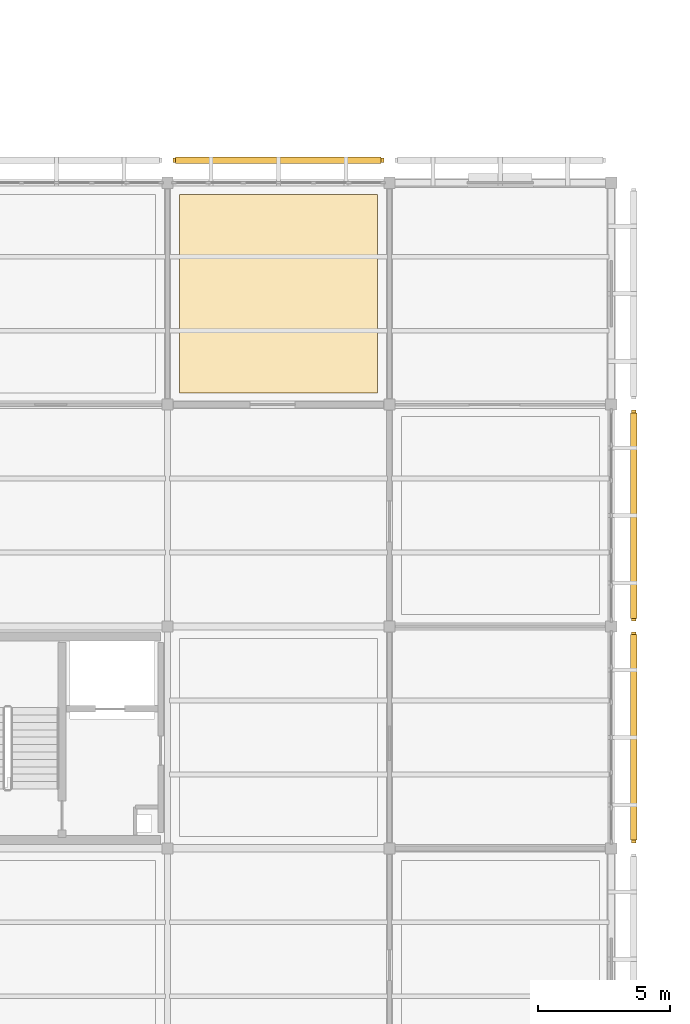
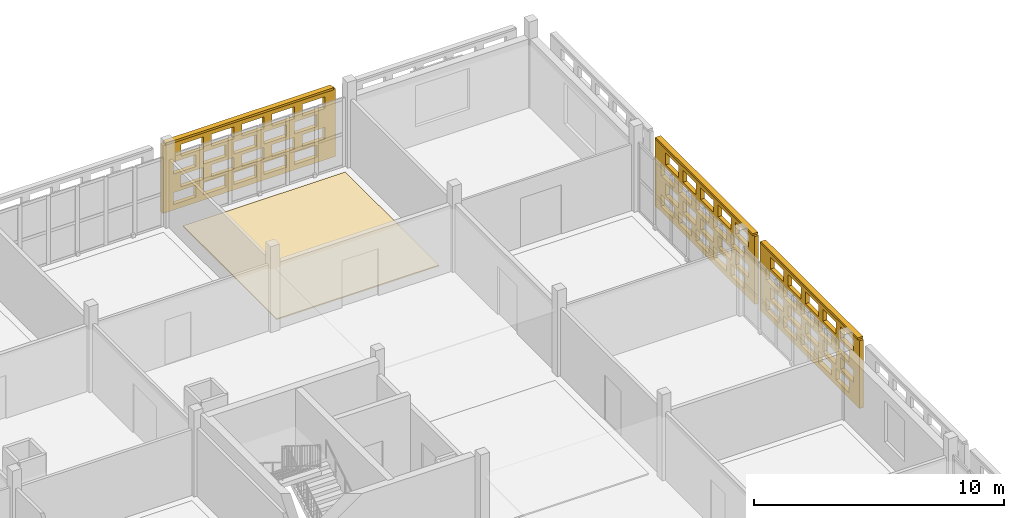
# One storey, part 165 of 166: 4 coverings, 3 shading devices, 60 openings.
"""IFC4 building model written with IfcOpenShell, lengths in metres."""

from ifc_helpers import new_model, si_unit, direction, frame, frame_2d, origin, origin_2d, place, context, subcontext, project, spatial, rectangle, extrude, material, layer, layer_set, type_object, element, save


model = new_model("IFC4")

# Units and contexts
model_context = context("Model", 3, precision=1e-05, world=origin(), true_north=direction((0.0, 1.0)))
body_context = subcontext(model_context, "Body", "Model", "MODEL_VIEW")
ifc_project = project(units=[si_unit("LENGTHUNIT", "METRE"), si_unit("AREAUNIT", "SQUARE_METRE"), si_unit("VOLUMEUNIT", "CUBIC_METRE"), si_unit("PLANEANGLEUNIT", "RADIAN"), si_unit("MASSUNIT", "GRAM", prefix="KILO")], contexts=[model_context])

# Site, building, storey
site_placement = place(None, origin())
site = spatial("IfcSite", under=ifc_project, at=site_placement, CompositionType="ELEMENT")
building_placement = place(site_placement, origin())
building = spatial("IfcBuilding", under=site, at=building_placement, Name="Varnapada Polytechnic", CompositionType="ELEMENT")
storey_placement = place(building_placement, frame((0.0, 0.0, 9.60009765625)))
storey = spatial("IfcBuildingStorey", under=building, at=storey_placement, Name="L02", CompositionType="ELEMENT", Elevation=9.60009765625)

# Covering
ifc_material_1 = material(Name="End-Grain Timber Studio Block Flooring", Category="wood")
ifc_layer_1 = layer(ifc_material_1, 0.054931640625)
ifc_layer_set_1 = layer_set([ifc_layer_1], Name="End-Grain Timber Studio Block Flooring")
covering_type_1 = type_object("IfcCoveringType", Name="Floor Finish FLR-04", PredefinedType="FLOORING", material=ifc_layer_set_1)
covering_1_placement = place(storey_placement, frame((163.800048828125, 113.39990234375, 0.0), z_axis=(0.0, 0.0, 1.0), x_axis=(1.0, 0.0, 0.0)))
element("IfcCovering", 1, at=covering_1_placement, inside=storey, type_object=covering_type_1, Name="L02 floor finish panel (20,14)", PredefinedType="FLOORING", context=body_context, shape_type="SweptSolid", body=[
    extrude(rectangle(XDim=7.5, YDim=7.5, at=origin_2d()), origin(), (0.0, 0.0, 1.0), 0.054931640625),
])

# Covering, openings
ifc_material_2 = material(Name="Earth-toned architectural terracotta screen block", Category="masonry")
ifc_layer_2 = layer(ifc_material_2, 0.1201171875)
ifc_layer_set_2 = layer_set([ifc_layer_2], Name="Earth-toned architectural terracotta screen block")
covering_type_2 = type_object("IfcCoveringType", Name="Terracotta Screen Cladding CLD-01", PredefinedType="CLADDING", material=ifc_layer_set_2)
covering_2_placement = place(storey_placement, frame((159.81005859375, 118.449951171875, 0.0), z_axis=(0.0, 0.0, 1.0), x_axis=(1.0, 0.0, 0.0)))
covering_2 = element("IfcCovering", 2, at=covering_2_placement, inside=storey, type_object=covering_type_2, Name="L02 perforated terracotta block screen (107)", PredefinedType="CLADDING", context=body_context, shape_type="SweptSolid", body=[
    extrude(rectangle(XDim=7.97998046875, YDim=0.179931640625, at=frame_2d((3.989990234375, 0.0))), origin(), (0.0, 0.0, 1.0), 3.31982421875),
])
opening_1_placement = place(covering_2_placement, frame((0.489990234375, 0.0, 0.265625)))
element("IfcOpeningElement", 3, at=opening_1_placement, cuts=covering_2, Name="Screen perforation TBS-L02-106.1", PredefinedType="OPENING", context=body_context, shape_type="SweptSolid", body=[
    extrude(rectangle(XDim=1.0400390625, YDim=0.5810546875, at=frame_2d((0.52001953125, 0.29052734375))), frame((0.0, 0.099853515625, 0.0), z_axis=(0.0, -1.0, 0.0), x_axis=(1.0, 0.0, 0.0)), (0.0, 0.0, 1.0), 0.199951171875),
])
opening_2_placement = place(covering_2_placement, frame((1.889892578125, 0.0, 0.265625)))
element("IfcOpeningElement", 4, at=opening_2_placement, cuts=covering_2, Name="Screen perforation TBS-L02-106.2", PredefinedType="OPENING", context=body_context, shape_type="SweptSolid", body=[
    extrude(rectangle(XDim=1.0400390625, YDim=0.5810546875, at=frame_2d((0.52001953125, 0.29052734375))), frame((0.0, 0.099853515625, 0.0), z_axis=(0.0, -1.0, 0.0), x_axis=(1.0, 0.0, 0.0)), (0.0, 0.0, 1.0), 0.199951171875),
])
opening_3_placement = place(covering_2_placement, frame((3.2900390625, 0.0, 0.265625)))
element("IfcOpeningElement", 5, at=opening_3_placement, cuts=covering_2, Name="Screen perforation TBS-L02-106.3", PredefinedType="OPENING", context=body_context, shape_type="SweptSolid", body=[
    extrude(rectangle(XDim=1.0400390625, YDim=0.5810546875, at=frame_2d((0.52001953125, 0.29052734375))), frame((0.0, 0.099853515625, 0.0), z_axis=(0.0, -1.0, 0.0), x_axis=(1.0, 0.0, 0.0)), (0.0, 0.0, 1.0), 0.199951171875),
])
opening_4_placement = place(covering_2_placement, frame((4.68994140625, 0.0, 0.265625)))
element("IfcOpeningElement", 6, at=opening_4_placement, cuts=covering_2, Name="Screen perforation TBS-L02-106.4", PredefinedType="OPENING", context=body_context, shape_type="SweptSolid", body=[
    extrude(rectangle(XDim=1.0400390625, YDim=0.5810546875, at=frame_2d((0.52001953125, 0.29052734375))), frame((0.0, 0.099853515625, 0.0), z_axis=(0.0, -1.0, 0.0), x_axis=(1.0, 0.0, 0.0)), (0.0, 0.0, 1.0), 0.199951171875),
])
opening_5_placement = place(covering_2_placement, frame((6.090087890625, 0.0, 0.265625)))
element("IfcOpeningElement", 7, at=opening_5_placement, cuts=covering_2, Name="Screen perforation TBS-L02-106.5", PredefinedType="OPENING", context=body_context, shape_type="SweptSolid", body=[
    extrude(rectangle(XDim=1.0400390625, YDim=0.5810546875, at=frame_2d((0.52001953125, 0.29052734375))), frame((0.0, 0.099853515625, 0.0), z_axis=(0.0, -1.0, 0.0), x_axis=(1.0, 0.0, 0.0)), (0.0, 0.0, 1.0), 0.199951171875),
])
opening_6_placement = place(covering_2_placement, frame((0.85009765625, 0.0, 1.0126953125)))
element("IfcOpeningElement", 8, at=opening_6_placement, cuts=covering_2, Name="Screen perforation TBS-L02-106.6", PredefinedType="OPENING", context=body_context, shape_type="SweptSolid", body=[
    extrude(rectangle(XDim=1.0400390625, YDim=0.5810546875, at=frame_2d((0.52001953125, 0.29052734375))), frame((0.0, 0.099853515625, 0.0), z_axis=(0.0, -1.0, 0.0), x_axis=(1.0, 0.0, 0.0)), (0.0, 0.0, 1.0), 0.199951171875),
])
opening_7_placement = place(covering_2_placement, frame((2.25, 0.0, 1.0126953125)))
element("IfcOpeningElement", 9, at=opening_7_placement, cuts=covering_2, Name="Screen perforation TBS-L02-106.7", PredefinedType="OPENING", context=body_context, shape_type="SweptSolid", body=[
    extrude(rectangle(XDim=1.0400390625, YDim=0.5810546875, at=frame_2d((0.52001953125, 0.29052734375))), frame((0.0, 0.099853515625, 0.0), z_axis=(0.0, -1.0, 0.0), x_axis=(1.0, 0.0, 0.0)), (0.0, 0.0, 1.0), 0.199951171875),
])
opening_8_placement = place(covering_2_placement, frame((3.64990234375, 0.0, 1.0126953125)))
element("IfcOpeningElement", 10, at=opening_8_placement, cuts=covering_2, Name="Screen perforation TBS-L02-106.8", PredefinedType="OPENING", context=body_context, shape_type="SweptSolid", body=[
    extrude(rectangle(XDim=1.0400390625, YDim=0.5810546875, at=frame_2d((0.52001953125, 0.29052734375))), frame((0.0, 0.099853515625, 0.0), z_axis=(0.0, -1.0, 0.0), x_axis=(1.0, 0.0, 0.0)), (0.0, 0.0, 1.0), 0.199951171875),
])
opening_9_placement = place(covering_2_placement, frame((5.050048828125, 0.0, 1.0126953125)))
element("IfcOpeningElement", 11, at=opening_9_placement, cuts=covering_2, Name="Screen perforation TBS-L02-106.9", PredefinedType="OPENING", context=body_context, shape_type="SweptSolid", body=[
    extrude(rectangle(XDim=1.0400390625, YDim=0.5810546875, at=frame_2d((0.52001953125, 0.29052734375))), frame((0.0, 0.099853515625, 0.0), z_axis=(0.0, -1.0, 0.0), x_axis=(1.0, 0.0, 0.0)), (0.0, 0.0, 1.0), 0.199951171875),
])
opening_10_placement = place(covering_2_placement, frame((6.449951171875, 0.0, 1.0126953125)))
element("IfcOpeningElement", 12, at=opening_10_placement, cuts=covering_2, Name="Screen perforation TBS-L02-106.10", PredefinedType="OPENING", context=body_context, shape_type="SweptSolid", body=[
    extrude(rectangle(XDim=1.0400390625, YDim=0.5810546875, at=frame_2d((0.52001953125, 0.29052734375))), frame((0.0, 0.099853515625, 0.0), z_axis=(0.0, -1.0, 0.0), x_axis=(1.0, 0.0, 0.0)), (0.0, 0.0, 1.0), 0.199951171875),
])
opening_11_placement = place(covering_2_placement, frame((0.489990234375, 0.0, 1.759521484375)))
element("IfcOpeningElement", 13, at=opening_11_placement, cuts=covering_2, Name="Screen perforation TBS-L02-106.11", PredefinedType="OPENING", context=body_context, shape_type="SweptSolid", body=[
    extrude(rectangle(XDim=1.0400390625, YDim=0.5810546875, at=frame_2d((0.52001953125, 0.29052734375))), frame((0.0, 0.099853515625, 0.0), z_axis=(0.0, -1.0, 0.0), x_axis=(1.0, 0.0, 0.0)), (0.0, 0.0, 1.0), 0.199951171875),
])
opening_12_placement = place(covering_2_placement, frame((1.889892578125, 0.0, 1.759521484375)))
element("IfcOpeningElement", 14, at=opening_12_placement, cuts=covering_2, Name="Screen perforation TBS-L02-106.12", PredefinedType="OPENING", context=body_context, shape_type="SweptSolid", body=[
    extrude(rectangle(XDim=1.0400390625, YDim=0.5810546875, at=frame_2d((0.52001953125, 0.29052734375))), frame((0.0, 0.099853515625, 0.0), z_axis=(0.0, -1.0, 0.0), x_axis=(1.0, 0.0, 0.0)), (0.0, 0.0, 1.0), 0.199951171875),
])
opening_13_placement = place(covering_2_placement, frame((3.2900390625, 0.0, 1.759521484375)))
element("IfcOpeningElement", 15, at=opening_13_placement, cuts=covering_2, Name="Screen perforation TBS-L02-106.13", PredefinedType="OPENING", context=body_context, shape_type="SweptSolid", body=[
    extrude(rectangle(XDim=1.0400390625, YDim=0.5810546875, at=frame_2d((0.52001953125, 0.29052734375))), frame((0.0, 0.099853515625, 0.0), z_axis=(0.0, -1.0, 0.0), x_axis=(1.0, 0.0, 0.0)), (0.0, 0.0, 1.0), 0.199951171875),
])
opening_14_placement = place(covering_2_placement, frame((4.68994140625, 0.0, 1.759521484375)))
element("IfcOpeningElement", 16, at=opening_14_placement, cuts=covering_2, Name="Screen perforation TBS-L02-106.14", PredefinedType="OPENING", context=body_context, shape_type="SweptSolid", body=[
    extrude(rectangle(XDim=1.0400390625, YDim=0.5810546875, at=frame_2d((0.52001953125, 0.29052734375))), frame((0.0, 0.099853515625, 0.0), z_axis=(0.0, -1.0, 0.0), x_axis=(1.0, 0.0, 0.0)), (0.0, 0.0, 1.0), 0.199951171875),
])
opening_15_placement = place(covering_2_placement, frame((6.090087890625, 0.0, 1.759521484375)))
element("IfcOpeningElement", 17, at=opening_15_placement, cuts=covering_2, Name="Screen perforation TBS-L02-106.15", PredefinedType="OPENING", context=body_context, shape_type="SweptSolid", body=[
    extrude(rectangle(XDim=1.0400390625, YDim=0.5810546875, at=frame_2d((0.52001953125, 0.29052734375))), frame((0.0, 0.099853515625, 0.0), z_axis=(0.0, -1.0, 0.0), x_axis=(1.0, 0.0, 0.0)), (0.0, 0.0, 1.0), 0.199951171875),
])
opening_16_placement = place(covering_2_placement, frame((0.85009765625, 0.0, 2.506591796875)))
element("IfcOpeningElement", 18, at=opening_16_placement, cuts=covering_2, Name="Screen perforation TBS-L02-106.16", PredefinedType="OPENING", context=body_context, shape_type="SweptSolid", body=[
    extrude(rectangle(XDim=1.0400390625, YDim=0.5810546875, at=frame_2d((0.52001953125, 0.29052734375))), frame((0.0, 0.099853515625, 0.0), z_axis=(0.0, -1.0, 0.0), x_axis=(1.0, 0.0, 0.0)), (0.0, 0.0, 1.0), 0.199951171875),
])
opening_17_placement = place(covering_2_placement, frame((2.25, 0.0, 2.506591796875)))
element("IfcOpeningElement", 19, at=opening_17_placement, cuts=covering_2, Name="Screen perforation TBS-L02-106.17", PredefinedType="OPENING", context=body_context, shape_type="SweptSolid", body=[
    extrude(rectangle(XDim=1.0400390625, YDim=0.5810546875, at=frame_2d((0.52001953125, 0.29052734375))), frame((0.0, 0.099853515625, 0.0), z_axis=(0.0, -1.0, 0.0), x_axis=(1.0, 0.0, 0.0)), (0.0, 0.0, 1.0), 0.199951171875),
])
opening_18_placement = place(covering_2_placement, frame((3.64990234375, 0.0, 2.506591796875)))
element("IfcOpeningElement", 20, at=opening_18_placement, cuts=covering_2, Name="Screen perforation TBS-L02-106.18", PredefinedType="OPENING", context=body_context, shape_type="SweptSolid", body=[
    extrude(rectangle(XDim=1.0400390625, YDim=0.5810546875, at=frame_2d((0.52001953125, 0.29052734375))), frame((0.0, 0.099853515625, 0.0), z_axis=(0.0, -1.0, 0.0), x_axis=(1.0, 0.0, 0.0)), (0.0, 0.0, 1.0), 0.199951171875),
])
opening_19_placement = place(covering_2_placement, frame((5.050048828125, 0.0, 2.506591796875)))
element("IfcOpeningElement", 21, at=opening_19_placement, cuts=covering_2, Name="Screen perforation TBS-L02-106.19", PredefinedType="OPENING", context=body_context, shape_type="SweptSolid", body=[
    extrude(rectangle(XDim=1.0400390625, YDim=0.5810546875, at=frame_2d((0.52001953125, 0.29052734375))), frame((0.0, 0.099853515625, 0.0), z_axis=(0.0, -1.0, 0.0), x_axis=(1.0, 0.0, 0.0)), (0.0, 0.0, 1.0), 0.199951171875),
])
opening_20_placement = place(covering_2_placement, frame((6.449951171875, 0.0, 2.506591796875)))
element("IfcOpeningElement", 22, at=opening_20_placement, cuts=covering_2, Name="Screen perforation TBS-L02-106.20", PredefinedType="OPENING", context=body_context, shape_type="SweptSolid", body=[
    extrude(rectangle(XDim=1.0400390625, YDim=0.5810546875, at=frame_2d((0.52001953125, 0.29052734375))), frame((0.0, 0.099853515625, 0.0), z_axis=(0.0, -1.0, 0.0), x_axis=(1.0, 0.0, 0.0)), (0.0, 0.0, 1.0), 0.199951171875),
])

covering_3_placement = place(storey_placement, frame((177.25, 100.590087890625, 0.0), z_axis=(0.0, 0.0, 1.0), x_axis=(0.0, -1.0, 0.0)))
covering_3 = element("IfcCovering", 23, at=covering_3_placement, inside=storey, type_object=covering_type_2, Name="L02 perforated terracotta block screen (113)", PredefinedType="CLADDING", context=body_context, shape_type="SweptSolid", body=[
    extrude(rectangle(XDim=7.97998046875, YDim=0.179931640625, at=frame_2d((3.989990234375, 0.0))), origin(), (0.0, 0.0, 1.0), 3.31982421875),
])
opening_21_placement = place(covering_3_placement, frame((0.489990234375, 0.0, 0.265625)))
element("IfcOpeningElement", 24, at=opening_21_placement, cuts=covering_3, Name="Screen perforation TBS-L02-112.1", PredefinedType="OPENING", context=body_context, shape_type="SweptSolid", body=[
    extrude(rectangle(XDim=1.0400390625, YDim=0.5810546875, at=frame_2d((0.52001953125, 0.29052734375))), frame((0.0, 0.099853515625, 0.0), z_axis=(0.0, -1.0, 0.0), x_axis=(1.0, 0.0, 0.0)), (0.0, 0.0, 1.0), 0.199951171875),
])
opening_22_placement = place(covering_3_placement, frame((1.889892578125, 0.0, 0.265625)))
element("IfcOpeningElement", 25, at=opening_22_placement, cuts=covering_3, Name="Screen perforation TBS-L02-112.2", PredefinedType="OPENING", context=body_context, shape_type="SweptSolid", body=[
    extrude(rectangle(XDim=1.0400390625, YDim=0.5810546875, at=frame_2d((0.52001953125, 0.29052734375))), frame((0.0, 0.099853515625, 0.0), z_axis=(0.0, -1.0, 0.0), x_axis=(1.0, 0.0, 0.0)), (0.0, 0.0, 1.0), 0.199951171875),
])
opening_23_placement = place(covering_3_placement, frame((3.2900390625, 0.0, 0.265625)))
element("IfcOpeningElement", 26, at=opening_23_placement, cuts=covering_3, Name="Screen perforation TBS-L02-112.3", PredefinedType="OPENING", context=body_context, shape_type="SweptSolid", body=[
    extrude(rectangle(XDim=1.0400390625, YDim=0.5810546875, at=frame_2d((0.52001953125, 0.29052734375))), frame((0.0, 0.099853515625, 0.0), z_axis=(0.0, -1.0, 0.0), x_axis=(1.0, 0.0, 0.0)), (0.0, 0.0, 1.0), 0.199951171875),
])
opening_24_placement = place(covering_3_placement, frame((4.68994140625, 0.0, 0.265625)))
element("IfcOpeningElement", 27, at=opening_24_placement, cuts=covering_3, Name="Screen perforation TBS-L02-112.4", PredefinedType="OPENING", context=body_context, shape_type="SweptSolid", body=[
    extrude(rectangle(XDim=1.0400390625, YDim=0.5810546875, at=frame_2d((0.52001953125, 0.29052734375))), frame((0.0, 0.099853515625, 0.0), z_axis=(0.0, -1.0, 0.0), x_axis=(1.0, 0.0, 0.0)), (0.0, 0.0, 1.0), 0.199951171875),
])
opening_25_placement = place(covering_3_placement, frame((6.090087890625, 0.0, 0.265625)))
element("IfcOpeningElement", 28, at=opening_25_placement, cuts=covering_3, Name="Screen perforation TBS-L02-112.5", PredefinedType="OPENING", context=body_context, shape_type="SweptSolid", body=[
    extrude(rectangle(XDim=1.0400390625, YDim=0.5810546875, at=frame_2d((0.52001953125, 0.29052734375))), frame((0.0, 0.099853515625, 0.0), z_axis=(0.0, -1.0, 0.0), x_axis=(1.0, 0.0, 0.0)), (0.0, 0.0, 1.0), 0.199951171875),
])
opening_26_placement = place(covering_3_placement, frame((0.85009765625, 0.0, 1.0126953125)))
element("IfcOpeningElement", 29, at=opening_26_placement, cuts=covering_3, Name="Screen perforation TBS-L02-112.6", PredefinedType="OPENING", context=body_context, shape_type="SweptSolid", body=[
    extrude(rectangle(XDim=1.0400390625, YDim=0.5810546875, at=frame_2d((0.52001953125, 0.29052734375))), frame((0.0, 0.099853515625, 0.0), z_axis=(0.0, -1.0, 0.0), x_axis=(1.0, 0.0, 0.0)), (0.0, 0.0, 1.0), 0.199951171875),
])
opening_27_placement = place(covering_3_placement, frame((2.25, 0.0, 1.0126953125)))
element("IfcOpeningElement", 30, at=opening_27_placement, cuts=covering_3, Name="Screen perforation TBS-L02-112.7", PredefinedType="OPENING", context=body_context, shape_type="SweptSolid", body=[
    extrude(rectangle(XDim=1.0400390625, YDim=0.5810546875, at=frame_2d((0.52001953125, 0.29052734375))), frame((0.0, 0.099853515625, 0.0), z_axis=(0.0, -1.0, 0.0), x_axis=(1.0, 0.0, 0.0)), (0.0, 0.0, 1.0), 0.199951171875),
])
opening_28_placement = place(covering_3_placement, frame((3.64990234375, 0.0, 1.0126953125)))
element("IfcOpeningElement", 31, at=opening_28_placement, cuts=covering_3, Name="Screen perforation TBS-L02-112.8", PredefinedType="OPENING", context=body_context, shape_type="SweptSolid", body=[
    extrude(rectangle(XDim=1.0400390625, YDim=0.5810546875, at=frame_2d((0.52001953125, 0.29052734375))), frame((0.0, 0.099853515625, 0.0), z_axis=(0.0, -1.0, 0.0), x_axis=(1.0, 0.0, 0.0)), (0.0, 0.0, 1.0), 0.199951171875),
])
opening_29_placement = place(covering_3_placement, frame((5.050048828125, 0.0, 1.0126953125)))
element("IfcOpeningElement", 32, at=opening_29_placement, cuts=covering_3, Name="Screen perforation TBS-L02-112.9", PredefinedType="OPENING", context=body_context, shape_type="SweptSolid", body=[
    extrude(rectangle(XDim=1.0400390625, YDim=0.5810546875, at=frame_2d((0.52001953125, 0.29052734375))), frame((0.0, 0.099853515625, 0.0), z_axis=(0.0, -1.0, 0.0), x_axis=(1.0, 0.0, 0.0)), (0.0, 0.0, 1.0), 0.199951171875),
])
opening_30_placement = place(covering_3_placement, frame((6.449951171875, 0.0, 1.0126953125)))
element("IfcOpeningElement", 33, at=opening_30_placement, cuts=covering_3, Name="Screen perforation TBS-L02-112.10", PredefinedType="OPENING", context=body_context, shape_type="SweptSolid", body=[
    extrude(rectangle(XDim=1.0400390625, YDim=0.5810546875, at=frame_2d((0.52001953125, 0.29052734375))), frame((0.0, 0.099853515625, 0.0), z_axis=(0.0, -1.0, 0.0), x_axis=(1.0, 0.0, 0.0)), (0.0, 0.0, 1.0), 0.199951171875),
])
opening_31_placement = place(covering_3_placement, frame((0.489990234375, 0.0, 1.759521484375)))
element("IfcOpeningElement", 34, at=opening_31_placement, cuts=covering_3, Name="Screen perforation TBS-L02-112.11", PredefinedType="OPENING", context=body_context, shape_type="SweptSolid", body=[
    extrude(rectangle(XDim=1.0400390625, YDim=0.5810546875, at=frame_2d((0.52001953125, 0.29052734375))), frame((0.0, 0.099853515625, 0.0), z_axis=(0.0, -1.0, 0.0), x_axis=(1.0, 0.0, 0.0)), (0.0, 0.0, 1.0), 0.199951171875),
])
opening_32_placement = place(covering_3_placement, frame((1.889892578125, 0.0, 1.759521484375)))
element("IfcOpeningElement", 35, at=opening_32_placement, cuts=covering_3, Name="Screen perforation TBS-L02-112.12", PredefinedType="OPENING", context=body_context, shape_type="SweptSolid", body=[
    extrude(rectangle(XDim=1.0400390625, YDim=0.5810546875, at=frame_2d((0.52001953125, 0.29052734375))), frame((0.0, 0.099853515625, 0.0), z_axis=(0.0, -1.0, 0.0), x_axis=(1.0, 0.0, 0.0)), (0.0, 0.0, 1.0), 0.199951171875),
])
opening_33_placement = place(covering_3_placement, frame((3.2900390625, 0.0, 1.759521484375)))
element("IfcOpeningElement", 36, at=opening_33_placement, cuts=covering_3, Name="Screen perforation TBS-L02-112.13", PredefinedType="OPENING", context=body_context, shape_type="SweptSolid", body=[
    extrude(rectangle(XDim=1.0400390625, YDim=0.5810546875, at=frame_2d((0.52001953125, 0.29052734375))), frame((0.0, 0.099853515625, 0.0), z_axis=(0.0, -1.0, 0.0), x_axis=(1.0, 0.0, 0.0)), (0.0, 0.0, 1.0), 0.199951171875),
])
opening_34_placement = place(covering_3_placement, frame((4.68994140625, 0.0, 1.759521484375)))
element("IfcOpeningElement", 37, at=opening_34_placement, cuts=covering_3, Name="Screen perforation TBS-L02-112.14", PredefinedType="OPENING", context=body_context, shape_type="SweptSolid", body=[
    extrude(rectangle(XDim=1.0400390625, YDim=0.5810546875, at=frame_2d((0.52001953125, 0.29052734375))), frame((0.0, 0.099853515625, 0.0), z_axis=(0.0, -1.0, 0.0), x_axis=(1.0, 0.0, 0.0)), (0.0, 0.0, 1.0), 0.199951171875),
])
opening_35_placement = place(covering_3_placement, frame((6.090087890625, 0.0, 1.759521484375)))
element("IfcOpeningElement", 38, at=opening_35_placement, cuts=covering_3, Name="Screen perforation TBS-L02-112.15", PredefinedType="OPENING", context=body_context, shape_type="SweptSolid", body=[
    extrude(rectangle(XDim=1.0400390625, YDim=0.5810546875, at=frame_2d((0.52001953125, 0.29052734375))), frame((0.0, 0.099853515625, 0.0), z_axis=(0.0, -1.0, 0.0), x_axis=(1.0, 0.0, 0.0)), (0.0, 0.0, 1.0), 0.199951171875),
])
opening_36_placement = place(covering_3_placement, frame((0.85009765625, 0.0, 2.506591796875)))
element("IfcOpeningElement", 39, at=opening_36_placement, cuts=covering_3, Name="Screen perforation TBS-L02-112.16", PredefinedType="OPENING", context=body_context, shape_type="SweptSolid", body=[
    extrude(rectangle(XDim=1.0400390625, YDim=0.5810546875, at=frame_2d((0.52001953125, 0.29052734375))), frame((0.0, 0.099853515625, 0.0), z_axis=(0.0, -1.0, 0.0), x_axis=(1.0, 0.0, 0.0)), (0.0, 0.0, 1.0), 0.199951171875),
])
opening_37_placement = place(covering_3_placement, frame((2.25, 0.0, 2.506591796875)))
element("IfcOpeningElement", 40, at=opening_37_placement, cuts=covering_3, Name="Screen perforation TBS-L02-112.17", PredefinedType="OPENING", context=body_context, shape_type="SweptSolid", body=[
    extrude(rectangle(XDim=1.0400390625, YDim=0.5810546875, at=frame_2d((0.52001953125, 0.29052734375))), frame((0.0, 0.099853515625, 0.0), z_axis=(0.0, -1.0, 0.0), x_axis=(1.0, 0.0, 0.0)), (0.0, 0.0, 1.0), 0.199951171875),
])
opening_38_placement = place(covering_3_placement, frame((3.64990234375, 0.0, 2.506591796875)))
element("IfcOpeningElement", 41, at=opening_38_placement, cuts=covering_3, Name="Screen perforation TBS-L02-112.18", PredefinedType="OPENING", context=body_context, shape_type="SweptSolid", body=[
    extrude(rectangle(XDim=1.0400390625, YDim=0.5810546875, at=frame_2d((0.52001953125, 0.29052734375))), frame((0.0, 0.099853515625, 0.0), z_axis=(0.0, -1.0, 0.0), x_axis=(1.0, 0.0, 0.0)), (0.0, 0.0, 1.0), 0.199951171875),
])
opening_39_placement = place(covering_3_placement, frame((5.050048828125, 0.0, 2.506591796875)))
element("IfcOpeningElement", 42, at=opening_39_placement, cuts=covering_3, Name="Screen perforation TBS-L02-112.19", PredefinedType="OPENING", context=body_context, shape_type="SweptSolid", body=[
    extrude(rectangle(XDim=1.0400390625, YDim=0.5810546875, at=frame_2d((0.52001953125, 0.29052734375))), frame((0.0, 0.099853515625, 0.0), z_axis=(0.0, -1.0, 0.0), x_axis=(1.0, 0.0, 0.0)), (0.0, 0.0, 1.0), 0.199951171875),
])
opening_40_placement = place(covering_3_placement, frame((6.449951171875, 0.0, 2.506591796875)))
element("IfcOpeningElement", 43, at=opening_40_placement, cuts=covering_3, Name="Screen perforation TBS-L02-112.20", PredefinedType="OPENING", context=body_context, shape_type="SweptSolid", body=[
    extrude(rectangle(XDim=1.0400390625, YDim=0.5810546875, at=frame_2d((0.52001953125, 0.29052734375))), frame((0.0, 0.099853515625, 0.0), z_axis=(0.0, -1.0, 0.0), x_axis=(1.0, 0.0, 0.0)), (0.0, 0.0, 1.0), 0.199951171875),
])

covering_4_placement = place(storey_placement, frame((177.25, 108.989990234375, 0.0), z_axis=(0.0, 0.0, 1.0), x_axis=(0.0, -1.0, 0.0)))
covering_4 = element("IfcCovering", 44, at=covering_4_placement, inside=storey, type_object=covering_type_2, Name="L02 perforated terracotta block screen (114)", PredefinedType="CLADDING", context=body_context, shape_type="SweptSolid", body=[
    extrude(rectangle(XDim=7.97998046875, YDim=0.179931640625, at=frame_2d((3.989990234375, 0.0))), origin(), (0.0, 0.0, 1.0), 3.31982421875),
])
opening_41_placement = place(covering_4_placement, frame((0.489990234375, 0.0, 0.265625)))
element("IfcOpeningElement", 45, at=opening_41_placement, cuts=covering_4, Name="Screen perforation TBS-L02-113.1", PredefinedType="OPENING", context=body_context, shape_type="SweptSolid", body=[
    extrude(rectangle(XDim=1.0400390625, YDim=0.5810546875, at=frame_2d((0.52001953125, 0.29052734375))), frame((0.0, 0.099853515625, 0.0), z_axis=(0.0, -1.0, 0.0), x_axis=(1.0, 0.0, 0.0)), (0.0, 0.0, 1.0), 0.199951171875),
])
opening_42_placement = place(covering_4_placement, frame((1.889892578125, 0.0, 0.265625)))
element("IfcOpeningElement", 46, at=opening_42_placement, cuts=covering_4, Name="Screen perforation TBS-L02-113.2", PredefinedType="OPENING", context=body_context, shape_type="SweptSolid", body=[
    extrude(rectangle(XDim=1.0400390625, YDim=0.5810546875, at=frame_2d((0.52001953125, 0.29052734375))), frame((0.0, 0.099853515625, 0.0), z_axis=(0.0, -1.0, 0.0), x_axis=(1.0, 0.0, 0.0)), (0.0, 0.0, 1.0), 0.199951171875),
])
opening_43_placement = place(covering_4_placement, frame((3.2900390625, 0.0, 0.265625)))
element("IfcOpeningElement", 47, at=opening_43_placement, cuts=covering_4, Name="Screen perforation TBS-L02-113.3", PredefinedType="OPENING", context=body_context, shape_type="SweptSolid", body=[
    extrude(rectangle(XDim=1.0400390625, YDim=0.5810546875, at=frame_2d((0.52001953125, 0.29052734375))), frame((0.0, 0.099853515625, 0.0), z_axis=(0.0, -1.0, 0.0), x_axis=(1.0, 0.0, 0.0)), (0.0, 0.0, 1.0), 0.199951171875),
])
opening_44_placement = place(covering_4_placement, frame((4.68994140625, 0.0, 0.265625)))
element("IfcOpeningElement", 48, at=opening_44_placement, cuts=covering_4, Name="Screen perforation TBS-L02-113.4", PredefinedType="OPENING", context=body_context, shape_type="SweptSolid", body=[
    extrude(rectangle(XDim=1.0400390625, YDim=0.5810546875, at=frame_2d((0.52001953125, 0.29052734375))), frame((0.0, 0.099853515625, 0.0), z_axis=(0.0, -1.0, 0.0), x_axis=(1.0, 0.0, 0.0)), (0.0, 0.0, 1.0), 0.199951171875),
])
opening_45_placement = place(covering_4_placement, frame((6.090087890625, 0.0, 0.265625)))
element("IfcOpeningElement", 49, at=opening_45_placement, cuts=covering_4, Name="Screen perforation TBS-L02-113.5", PredefinedType="OPENING", context=body_context, shape_type="SweptSolid", body=[
    extrude(rectangle(XDim=1.0400390625, YDim=0.5810546875, at=frame_2d((0.52001953125, 0.29052734375))), frame((0.0, 0.099853515625, 0.0), z_axis=(0.0, -1.0, 0.0), x_axis=(1.0, 0.0, 0.0)), (0.0, 0.0, 1.0), 0.199951171875),
])
opening_46_placement = place(covering_4_placement, frame((0.85009765625, 0.0, 1.0126953125)))
element("IfcOpeningElement", 50, at=opening_46_placement, cuts=covering_4, Name="Screen perforation TBS-L02-113.6", PredefinedType="OPENING", context=body_context, shape_type="SweptSolid", body=[
    extrude(rectangle(XDim=1.0400390625, YDim=0.5810546875, at=frame_2d((0.52001953125, 0.29052734375))), frame((0.0, 0.099853515625, 0.0), z_axis=(0.0, -1.0, 0.0), x_axis=(1.0, 0.0, 0.0)), (0.0, 0.0, 1.0), 0.199951171875),
])
opening_47_placement = place(covering_4_placement, frame((2.25, 0.0, 1.0126953125)))
element("IfcOpeningElement", 51, at=opening_47_placement, cuts=covering_4, Name="Screen perforation TBS-L02-113.7", PredefinedType="OPENING", context=body_context, shape_type="SweptSolid", body=[
    extrude(rectangle(XDim=1.0400390625, YDim=0.5810546875, at=frame_2d((0.52001953125, 0.29052734375))), frame((0.0, 0.099853515625, 0.0), z_axis=(0.0, -1.0, 0.0), x_axis=(1.0, 0.0, 0.0)), (0.0, 0.0, 1.0), 0.199951171875),
])
opening_48_placement = place(covering_4_placement, frame((3.64990234375, 0.0, 1.0126953125)))
element("IfcOpeningElement", 52, at=opening_48_placement, cuts=covering_4, Name="Screen perforation TBS-L02-113.8", PredefinedType="OPENING", context=body_context, shape_type="SweptSolid", body=[
    extrude(rectangle(XDim=1.0400390625, YDim=0.5810546875, at=frame_2d((0.52001953125, 0.29052734375))), frame((0.0, 0.099853515625, 0.0), z_axis=(0.0, -1.0, 0.0), x_axis=(1.0, 0.0, 0.0)), (0.0, 0.0, 1.0), 0.199951171875),
])
opening_49_placement = place(covering_4_placement, frame((5.050048828125, 0.0, 1.0126953125)))
element("IfcOpeningElement", 53, at=opening_49_placement, cuts=covering_4, Name="Screen perforation TBS-L02-113.9", PredefinedType="OPENING", context=body_context, shape_type="SweptSolid", body=[
    extrude(rectangle(XDim=1.0400390625, YDim=0.5810546875, at=frame_2d((0.52001953125, 0.29052734375))), frame((0.0, 0.099853515625, 0.0), z_axis=(0.0, -1.0, 0.0), x_axis=(1.0, 0.0, 0.0)), (0.0, 0.0, 1.0), 0.199951171875),
])
opening_50_placement = place(covering_4_placement, frame((6.449951171875, 0.0, 1.0126953125)))
element("IfcOpeningElement", 54, at=opening_50_placement, cuts=covering_4, Name="Screen perforation TBS-L02-113.10", PredefinedType="OPENING", context=body_context, shape_type="SweptSolid", body=[
    extrude(rectangle(XDim=1.0400390625, YDim=0.5810546875, at=frame_2d((0.52001953125, 0.29052734375))), frame((0.0, 0.099853515625, 0.0), z_axis=(0.0, -1.0, 0.0), x_axis=(1.0, 0.0, 0.0)), (0.0, 0.0, 1.0), 0.199951171875),
])
opening_51_placement = place(covering_4_placement, frame((0.489990234375, 0.0, 1.759521484375)))
element("IfcOpeningElement", 55, at=opening_51_placement, cuts=covering_4, Name="Screen perforation TBS-L02-113.11", PredefinedType="OPENING", context=body_context, shape_type="SweptSolid", body=[
    extrude(rectangle(XDim=1.0400390625, YDim=0.5810546875, at=frame_2d((0.52001953125, 0.29052734375))), frame((0.0, 0.099853515625, 0.0), z_axis=(0.0, -1.0, 0.0), x_axis=(1.0, 0.0, 0.0)), (0.0, 0.0, 1.0), 0.199951171875),
])
opening_52_placement = place(covering_4_placement, frame((1.889892578125, 0.0, 1.759521484375)))
element("IfcOpeningElement", 56, at=opening_52_placement, cuts=covering_4, Name="Screen perforation TBS-L02-113.12", PredefinedType="OPENING", context=body_context, shape_type="SweptSolid", body=[
    extrude(rectangle(XDim=1.0400390625, YDim=0.5810546875, at=frame_2d((0.52001953125, 0.29052734375))), frame((0.0, 0.099853515625, 0.0), z_axis=(0.0, -1.0, 0.0), x_axis=(1.0, 0.0, 0.0)), (0.0, 0.0, 1.0), 0.199951171875),
])
opening_53_placement = place(covering_4_placement, frame((3.2900390625, 0.0, 1.759521484375)))
element("IfcOpeningElement", 57, at=opening_53_placement, cuts=covering_4, Name="Screen perforation TBS-L02-113.13", PredefinedType="OPENING", context=body_context, shape_type="SweptSolid", body=[
    extrude(rectangle(XDim=1.0400390625, YDim=0.5810546875, at=frame_2d((0.52001953125, 0.29052734375))), frame((0.0, 0.099853515625, 0.0), z_axis=(0.0, -1.0, 0.0), x_axis=(1.0, 0.0, 0.0)), (0.0, 0.0, 1.0), 0.199951171875),
])
opening_54_placement = place(covering_4_placement, frame((4.68994140625, 0.0, 1.759521484375)))
element("IfcOpeningElement", 58, at=opening_54_placement, cuts=covering_4, Name="Screen perforation TBS-L02-113.14", PredefinedType="OPENING", context=body_context, shape_type="SweptSolid", body=[
    extrude(rectangle(XDim=1.0400390625, YDim=0.5810546875, at=frame_2d((0.52001953125, 0.29052734375))), frame((0.0, 0.099853515625, 0.0), z_axis=(0.0, -1.0, 0.0), x_axis=(1.0, 0.0, 0.0)), (0.0, 0.0, 1.0), 0.199951171875),
])
opening_55_placement = place(covering_4_placement, frame((6.090087890625, 0.0, 1.759521484375)))
element("IfcOpeningElement", 59, at=opening_55_placement, cuts=covering_4, Name="Screen perforation TBS-L02-113.15", PredefinedType="OPENING", context=body_context, shape_type="SweptSolid", body=[
    extrude(rectangle(XDim=1.0400390625, YDim=0.5810546875, at=frame_2d((0.52001953125, 0.29052734375))), frame((0.0, 0.099853515625, 0.0), z_axis=(0.0, -1.0, 0.0), x_axis=(1.0, 0.0, 0.0)), (0.0, 0.0, 1.0), 0.199951171875),
])
opening_56_placement = place(covering_4_placement, frame((0.85009765625, 0.0, 2.506591796875)))
element("IfcOpeningElement", 60, at=opening_56_placement, cuts=covering_4, Name="Screen perforation TBS-L02-113.16", PredefinedType="OPENING", context=body_context, shape_type="SweptSolid", body=[
    extrude(rectangle(XDim=1.0400390625, YDim=0.5810546875, at=frame_2d((0.52001953125, 0.29052734375))), frame((0.0, 0.099853515625, 0.0), z_axis=(0.0, -1.0, 0.0), x_axis=(1.0, 0.0, 0.0)), (0.0, 0.0, 1.0), 0.199951171875),
])
opening_57_placement = place(covering_4_placement, frame((2.25, 0.0, 2.506591796875)))
element("IfcOpeningElement", 61, at=opening_57_placement, cuts=covering_4, Name="Screen perforation TBS-L02-113.17", PredefinedType="OPENING", context=body_context, shape_type="SweptSolid", body=[
    extrude(rectangle(XDim=1.0400390625, YDim=0.5810546875, at=frame_2d((0.52001953125, 0.29052734375))), frame((0.0, 0.099853515625, 0.0), z_axis=(0.0, -1.0, 0.0), x_axis=(1.0, 0.0, 0.0)), (0.0, 0.0, 1.0), 0.199951171875),
])
opening_58_placement = place(covering_4_placement, frame((3.64990234375, 0.0, 2.506591796875)))
element("IfcOpeningElement", 62, at=opening_58_placement, cuts=covering_4, Name="Screen perforation TBS-L02-113.18", PredefinedType="OPENING", context=body_context, shape_type="SweptSolid", body=[
    extrude(rectangle(XDim=1.0400390625, YDim=0.5810546875, at=frame_2d((0.52001953125, 0.29052734375))), frame((0.0, 0.099853515625, 0.0), z_axis=(0.0, -1.0, 0.0), x_axis=(1.0, 0.0, 0.0)), (0.0, 0.0, 1.0), 0.199951171875),
])
opening_59_placement = place(covering_4_placement, frame((5.050048828125, 0.0, 2.506591796875)))
element("IfcOpeningElement", 63, at=opening_59_placement, cuts=covering_4, Name="Screen perforation TBS-L02-113.19", PredefinedType="OPENING", context=body_context, shape_type="SweptSolid", body=[
    extrude(rectangle(XDim=1.0400390625, YDim=0.5810546875, at=frame_2d((0.52001953125, 0.29052734375))), frame((0.0, 0.099853515625, 0.0), z_axis=(0.0, -1.0, 0.0), x_axis=(1.0, 0.0, 0.0)), (0.0, 0.0, 1.0), 0.199951171875),
])
opening_60_placement = place(covering_4_placement, frame((6.449951171875, 0.0, 2.506591796875)))
element("IfcOpeningElement", 64, at=opening_60_placement, cuts=covering_4, Name="Screen perforation TBS-L02-113.20", PredefinedType="OPENING", context=body_context, shape_type="SweptSolid", body=[
    extrude(rectangle(XDim=1.0400390625, YDim=0.5810546875, at=frame_2d((0.52001953125, 0.29052734375))), frame((0.0, 0.099853515625, 0.0), z_axis=(0.0, -1.0, 0.0), x_axis=(1.0, 0.0, 0.0)), (0.0, 0.0, 1.0), 0.199951171875),
])

# Shading devices
ifc_layer_3 = layer(ifc_material_2, 0.179931640625)
ifc_layer_set_3 = layer_set([ifc_layer_3], Name="Earth-toned architectural terracotta screen block")
shading_device_type = type_object("IfcShadingDeviceType", Name="Terracotta Screen SCR-01", PredefinedType="USERDEFINED", material=ifc_layer_set_3)
for number, where, z_axis, x_axis, name in (
    (65, (163.800048828125, 118.449951171875, 3.309814453125), (0.0, 0.0, 1.0), (1.0, 0.0, 0.0), "L02 perforated terracotta screen hood 326"),
    (66, (177.25, 96.60009765625, 3.309814453125), (0.0, 0.0, 1.0), (0.0, -1.0, 0.0), "L02 perforated terracotta screen hood 332"),
    (67, (177.25, 105.0, 3.309814453125), (0.0, 0.0, 1.0), (0.0, -1.0, 0.0), "L02 perforated terracotta screen hood 333"),
):
    element("IfcShadingDevice", number, at=place(storey_placement, frame(where, z_axis=z_axis, x_axis=x_axis)), inside=storey, type_object=shading_device_type, Name=name, ObjectType="SCREEN", PredefinedType="USERDEFINED", context=body_context, shape_type="SweptSolid", body=[
        extrude(rectangle(XDim=7.780029296875, YDim=0.239990234375, at=origin_2d()), origin(), (0.0, 0.0, 1.0), 0.10009765625),
    ])

save(model, "model.ifc")
